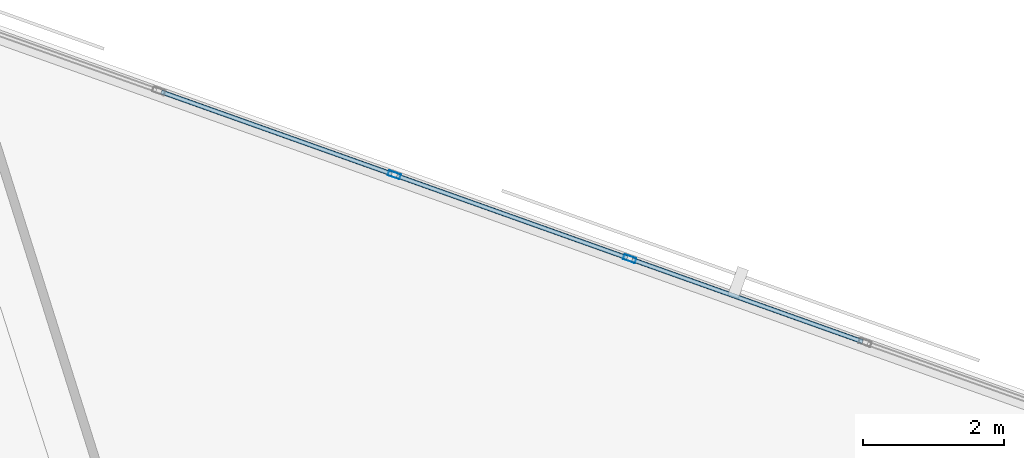
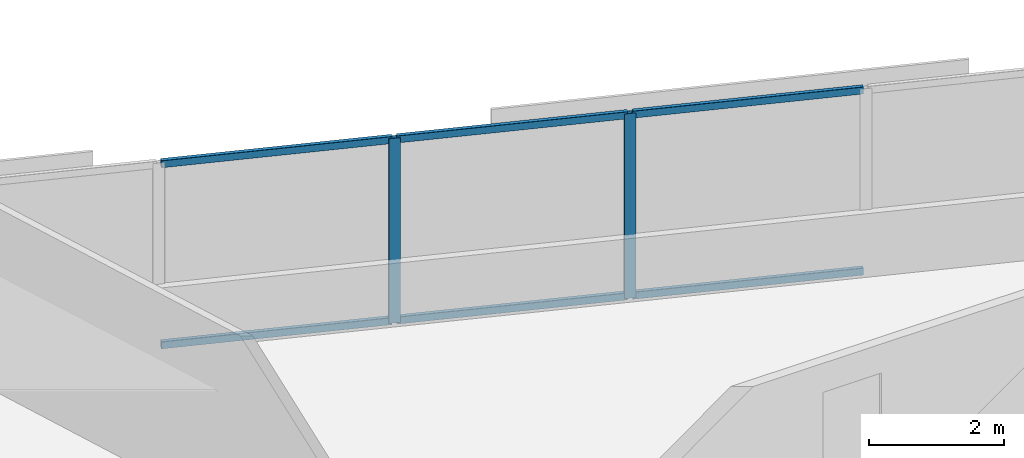
# One storey, part 8 of 16: 8 members, 1 element without a shape of its own.
"""IFC4 building model written with IfcOpenShell, lengths in metres."""

from ifc_helpers import new_model, si_unit, direction, frame, origin, origin_2d, place, context, subcontext, project, spatial, hollow_rectangle, extrude, material, material_profile, profile_set, type_object, element, aggregate, save


model = new_model("IFC4")

# Units and contexts
model_context = context("Model", 3, precision=1e-05, world=origin(), true_north=direction((0.0, 1.0)))
body_context = subcontext(model_context, "Body", "Model", "MODEL_VIEW")
ifc_project = project(units=[si_unit("LENGTHUNIT", "METRE"), si_unit("AREAUNIT", "SQUARE_METRE"), si_unit("VOLUMEUNIT", "CUBIC_METRE"), si_unit("PLANEANGLEUNIT", "RADIAN"), si_unit("MASSUNIT", "GRAM", prefix="KILO")], contexts=[model_context])

# Site, building, storey
site_placement = place(None, origin())
site = spatial("IfcSite", under=ifc_project, at=site_placement, CompositionType="ELEMENT")
building_placement = place(site_placement, origin())
building = spatial("IfcBuilding", under=site, at=building_placement, Name="Narakoshi Arena Tower", CompositionType="ELEMENT")
storey_placement = place(building_placement, frame((0.0, 0.0, 146.699951171875)))
storey = spatial("IfcBuildingStorey", under=building, at=storey_placement, Name="L39", CompositionType="ELEMENT", Elevation=146.699951171875)

# Curtain wall, members
ifc_material = material(Name="Anodised bronze aluminium 6063-T6", Category="aluminium")
curtain_wall_type = type_object("IfcCurtainWallType", Name="CW-HYP-MID", PredefinedType="NOTDEFINED", material=ifc_material)
curtain_wall_placement = place(storey_placement, origin())
curtain_wall = element("IfcCurtainWall", 1, at=curtain_wall_placement, inside=storey, type_object=curtain_wall_type, Name="L39 Folded Hypotenuse Curtain Wall 2-1", PredefinedType="NOTDEFINED")
ifc_material_profile_1 = material_profile(ifc_material, hollow_rectangle(XDim=0.074951171875, YDim=0.179931640625, WallThickness=0.00390625, OuterFilletRadius=0.0048828125, at=origin_2d()), Name="MUL180x75x4")
ifc_profile_set_1 = profile_set([ifc_material_profile_1], Name="Anodised bronze aluminium 6063-T6")
member_type_1 = type_object("IfcMemberType", Name="MEM-MUL-180", PredefinedType="MULLION", material=ifc_profile_set_1)
member_1_placement = place(storey_placement, frame((81.1259765625, 65.1083984375, 0.0), z_axis=(0.0, 0.0, 1.0), x_axis=(-0.335518297139, -0.94203368957, 0.0)))
member_1 = element("IfcMember", 2, at=member_1_placement, type_object=member_type_1, Name="CW-02 mullion 3", PredefinedType="MULLION", context=body_context, shape_type="SweptSolid", body=[
    extrude(hollow_rectangle(XDim=0.074951171875, YDim=0.179931640625, WallThickness=0.00390625, OuterFilletRadius=0.0048828125, at=origin_2d()), origin(), (0.0, 0.0, 1.0), 3.340087890625),
])
member_2_placement = place(storey_placement, frame((77.781494140625, 66.2998046875, 0.0), z_axis=(0.0, 0.0, 1.0), x_axis=(-0.335518297139, -0.94203368957, 0.0)))
member_2 = element("IfcMember", 3, at=member_2_placement, type_object=member_type_1, Name="CW-02 mullion 4", PredefinedType="MULLION", context=body_context, shape_type="SweptSolid", body=[
    extrude(hollow_rectangle(XDim=0.074951171875, YDim=0.179931640625, WallThickness=0.00390625, OuterFilletRadius=0.0048828125, at=origin_2d()), origin(), (0.0, 0.0, 1.0), 3.340087890625),
])
ifc_material_profile_2 = material_profile(ifc_material, hollow_rectangle(XDim=0.06494140625, YDim=0.1298828125, WallThickness=0.00390625, OuterFilletRadius=0.0048828125, at=origin_2d()), Name="TRN130x65x4")
ifc_profile_set_2 = profile_set([ifc_material_profile_2], Name="Anodised bronze aluminium 6063-T6")
member_type_2 = type_object("IfcMemberType", Name="MEM-TRN-130", PredefinedType="USERDEFINED", material=ifc_profile_set_2)
member_3_placement = place(storey_placement, frame((84.435302734375, 63.929931640625, 0.032470703125), z_axis=(-0.942037165195, 0.335508538477, 0.0), x_axis=(-0.335508538477, -0.942037165195, 0.0)))
member_3 = element("IfcMember", 4, at=member_3_placement, type_object=member_type_2, Name="CW-02 transom 2.1", ObjectType="TRANSOM", PredefinedType="USERDEFINED", context=body_context, shape_type="SweptSolid", body=[
    extrude(hollow_rectangle(XDim=0.06494140625, YDim=0.1298828125, WallThickness=0.00390625, OuterFilletRadius=0.0048828125, at=origin_2d()), origin(), (0.0, 0.0, 1.0), 3.475341796875),
])
member_4_placement = place(storey_placement, frame((84.435302734375, 63.929931640625, 3.3076171875), z_axis=(-0.942037165195, 0.335508538477, 0.0), x_axis=(-0.335508538477, -0.942037165195, 0.0)))
member_4 = element("IfcMember", 5, at=member_4_placement, type_object=member_type_2, Name="CW-02 transom 2.2", ObjectType="TRANSOM", PredefinedType="USERDEFINED", context=body_context, shape_type="SweptSolid", body=[
    extrude(hollow_rectangle(XDim=0.06494140625, YDim=0.1298828125, WallThickness=0.00390625, OuterFilletRadius=0.0048828125, at=origin_2d()), origin(), (0.0, 0.0, 1.0), 3.475341796875),
])
member_5_placement = place(storey_placement, frame((81.0908203125, 65.12109375, 0.032470703125), z_axis=(-0.942037165195, 0.335508538477, 0.0), x_axis=(-0.335508538477, -0.942037165195, 0.0)))
member_5 = element("IfcMember", 6, at=member_5_placement, type_object=member_type_2, Name="CW-02 transom 3.1", ObjectType="TRANSOM", PredefinedType="USERDEFINED", context=body_context, shape_type="SweptSolid", body=[
    extrude(hollow_rectangle(XDim=0.06494140625, YDim=0.1298828125, WallThickness=0.00390625, OuterFilletRadius=0.0048828125, at=origin_2d()), origin(), (0.0, 0.0, 1.0), 3.475341796875),
])
member_6_placement = place(storey_placement, frame((81.0908203125, 65.12109375, 3.3076171875), z_axis=(-0.942037165195, 0.335508538477, 0.0), x_axis=(-0.335508538477, -0.942037165195, 0.0)))
member_6 = element("IfcMember", 7, at=member_6_placement, type_object=member_type_2, Name="CW-02 transom 3.2", ObjectType="TRANSOM", PredefinedType="USERDEFINED", context=body_context, shape_type="SweptSolid", body=[
    extrude(hollow_rectangle(XDim=0.06494140625, YDim=0.1298828125, WallThickness=0.00390625, OuterFilletRadius=0.0048828125, at=origin_2d()), origin(), (0.0, 0.0, 1.0), 3.475341796875),
])
member_7_placement = place(storey_placement, frame((77.74609375, 66.312255859375, 0.032470703125), z_axis=(-0.942029256779, 0.335530742813, 0.0), x_axis=(-0.335530742813, -0.942029256779, 0.0)))
member_7 = element("IfcMember", 8, at=member_7_placement, type_object=member_type_2, Name="CW-02 transom 4.1", ObjectType="TRANSOM", PredefinedType="USERDEFINED", context=body_context, shape_type="SweptSolid", body=[
    extrude(hollow_rectangle(XDim=0.06494140625, YDim=0.1298828125, WallThickness=0.00390625, OuterFilletRadius=0.0048828125, at=origin_2d()), origin(), (0.0, 0.0, 1.0), 3.47509765625),
])
member_8_placement = place(storey_placement, frame((77.74609375, 66.312255859375, 3.3076171875), z_axis=(-0.942029256779, 0.335530742813, 0.0), x_axis=(-0.335530742813, -0.942029256779, 0.0)))
member_8 = element("IfcMember", 9, at=member_8_placement, type_object=member_type_2, Name="CW-02 transom 4.2", ObjectType="TRANSOM", PredefinedType="USERDEFINED", context=body_context, shape_type="SweptSolid", body=[
    extrude(hollow_rectangle(XDim=0.06494140625, YDim=0.1298828125, WallThickness=0.00390625, OuterFilletRadius=0.0048828125, at=origin_2d()), origin(), (0.0, 0.0, 1.0), 3.47509765625),
])
aggregate(curtain_wall, [member_1, member_2, member_3, member_4, member_5, member_6, member_7, member_8])

save(model, "model.ifc")
